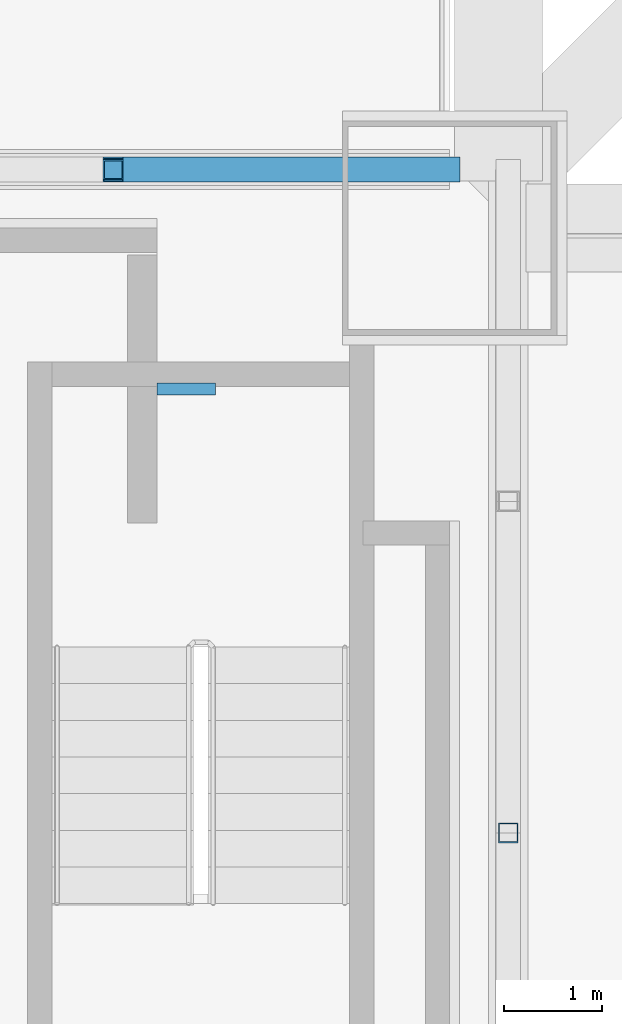
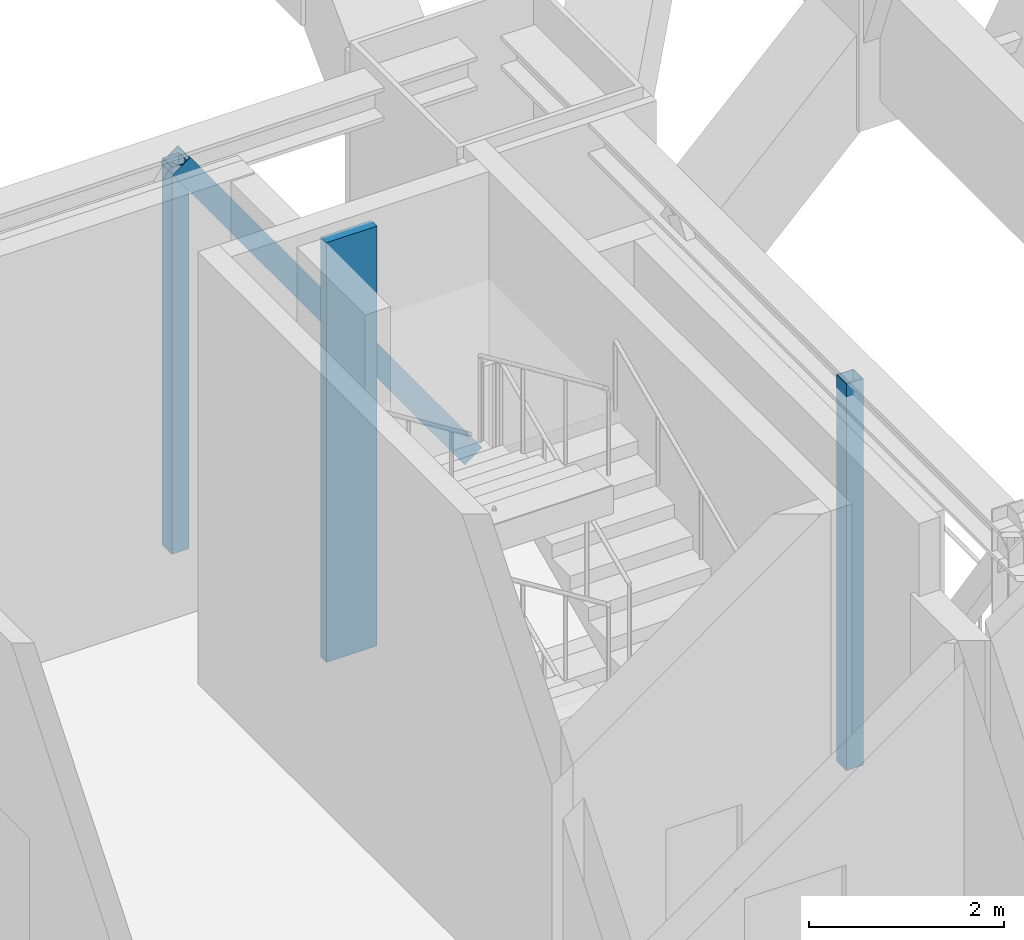
# One storey, part 17 of 30: 4 members, 1 element without a shape of its own.
"""IFC4 building model written with IfcOpenShell, lengths in metres."""

from ifc_helpers import new_model, si_unit, direction, frame, origin, origin_2d, place, context, subcontext, project, spatial, rectangle, hollow_rectangle, extrude, material, material_profile, profile_set, type_object, element, aggregate, save


model = new_model("IFC4")

# Units and contexts
model_context = context("Model", 3, precision=1e-05, world=origin(), true_north=direction((0.0, 1.0)))
body_context = subcontext(model_context, "Body", "Model", "MODEL_VIEW")
ifc_project = project(units=[si_unit("LENGTHUNIT", "METRE"), si_unit("AREAUNIT", "SQUARE_METRE"), si_unit("VOLUMEUNIT", "CUBIC_METRE"), si_unit("PLANEANGLEUNIT", "RADIAN"), si_unit("MASSUNIT", "GRAM", prefix="KILO")], contexts=[model_context])

# Site, building, storey
site_placement = place(None, origin())
site = spatial("IfcSite", under=ifc_project, at=site_placement, CompositionType="ELEMENT")
building_placement = place(site_placement, origin())
building = spatial("IfcBuilding", under=site, at=building_placement, Name="Bicima Exchange Tower", CompositionType="ELEMENT")
storey_placement = place(building_placement, frame((0.0, 0.0, 287.60009765625)))
storey = spatial("IfcBuildingStorey", under=building, at=storey_placement, Name="L65", CompositionType="ELEMENT", Elevation=287.60009765625)

# Curtain wall, member
ifc_material_1 = material(Name="Anodised bronze aluminium", Category="aluminium")
curtain_wall_type = type_object("IfcCurtainWallType", Name="Band blade screen", PredefinedType="NOTDEFINED", material=ifc_material_1)
curtain_wall_placement = place(storey_placement, origin())
curtain_wall = element("IfcCurtainWall", 1, at=curtain_wall_placement, inside=storey, type_object=curtain_wall_type, Name="Band blade screen L65", PredefinedType="NOTDEFINED")
ifc_material_profile_1 = material_profile(ifc_material_1, rectangle(XDim=0.60009765625, YDim=0.1201171875, at=origin_2d()))
ifc_profile_set_1 = profile_set([ifc_material_profile_1], Name="Anodised bronze aluminium")
member_type_1 = type_object("IfcMemberType", Name="Band blade fin 600 x 120", PredefinedType="USERDEFINED", material=ifc_profile_set_1)
member_1_placement = place(storey_placement, frame((30.300048828125, -4.64990234375, 0.0), z_axis=(0.0, 0.0, 1.0), x_axis=(-1.0, 0.0, 0.0)))
member_1 = element("IfcMember", 2, at=member_1_placement, type_object=member_type_1, Name="Band blade fin 6", ObjectType="FIN", PredefinedType="USERDEFINED", context=body_context, shape_type="SweptSolid", body=[
    extrude(rectangle(XDim=0.60009765625, YDim=0.1201171875, at=origin_2d()), origin(), (0.0, 0.0, 1.0), 5.25),
])
aggregate(curtain_wall, [member_1])

# Members
ifc_material_2 = material(Name="Steel ASTM A572 Gr 50", Category="steel")
ifc_material_profile_2 = material_profile(ifc_material_2, hollow_rectangle(XDim=0.25390625, YDim=0.25390625, WallThickness=0.01171875, at=origin_2d()))
ifc_profile_set_2 = profile_set([ifc_material_profile_2], Name="Steel ASTM A572 Gr 50")
member_type_2 = type_object("IfcMemberType", Name="Belt truss diagonal HSS10x10x1/2", PredefinedType="STRUT", material=ifc_profile_set_2)
member_2_placement = place(storey_placement, frame((29.550048828125, -2.39990234375, 5.04150390625), z_axis=(0.580973703743, 0.0, -0.813922327719), x_axis=(0.0, 1.0, 0.0)))
element("IfcMember", 3, at=member_2_placement, inside=storey, type_object=member_type_2, Name="Truss diagonal", PredefinedType="STRUT", context=body_context, shape_type="SweptSolid", body=[
    extrude(hollow_rectangle(XDim=0.25390625, YDim=0.25390625, WallThickness=0.01171875, at=origin_2d()), origin(), (0.0, 0.0, 1.0), 5.938232421875),
])
ifc_material_profile_3 = material_profile(ifc_material_2, hollow_rectangle(XDim=0.203125, YDim=0.203125, WallThickness=0.01171875, at=origin_2d()))
ifc_profile_set_3 = profile_set([ifc_material_profile_3], Name="Steel ASTM A572 Gr 50")
member_type_3 = type_object("IfcMemberType", Name="Belt truss post HSS8x8x1/2", PredefinedType="POST", material=ifc_profile_set_3)
for number, where, z_axis, x_axis, name in (
    (4, (29.550048828125, -2.39990234375, 0.208251953125), (0.0, 0.0, 1.0), (1.0, 0.0, 0.0), "Truss post"),
    (5, (33.60009765625, -9.199951171875, 0.208251953125), (0.0, 0.0, 1.0), (1.0, 0.0, 0.0), "Truss post"),
):
    element("IfcMember", number, at=place(storey_placement, frame(where, z_axis=z_axis, x_axis=x_axis)), inside=storey, type_object=member_type_3, Name=name, PredefinedType="POST", context=body_context, shape_type="SweptSolid", body=[
        extrude(hollow_rectangle(XDim=0.203125, YDim=0.203125, WallThickness=0.01171875, at=origin_2d()), origin(), (0.0, 0.0, 1.0), 4.833251953125),
    ])

save(model, "model.ifc")
